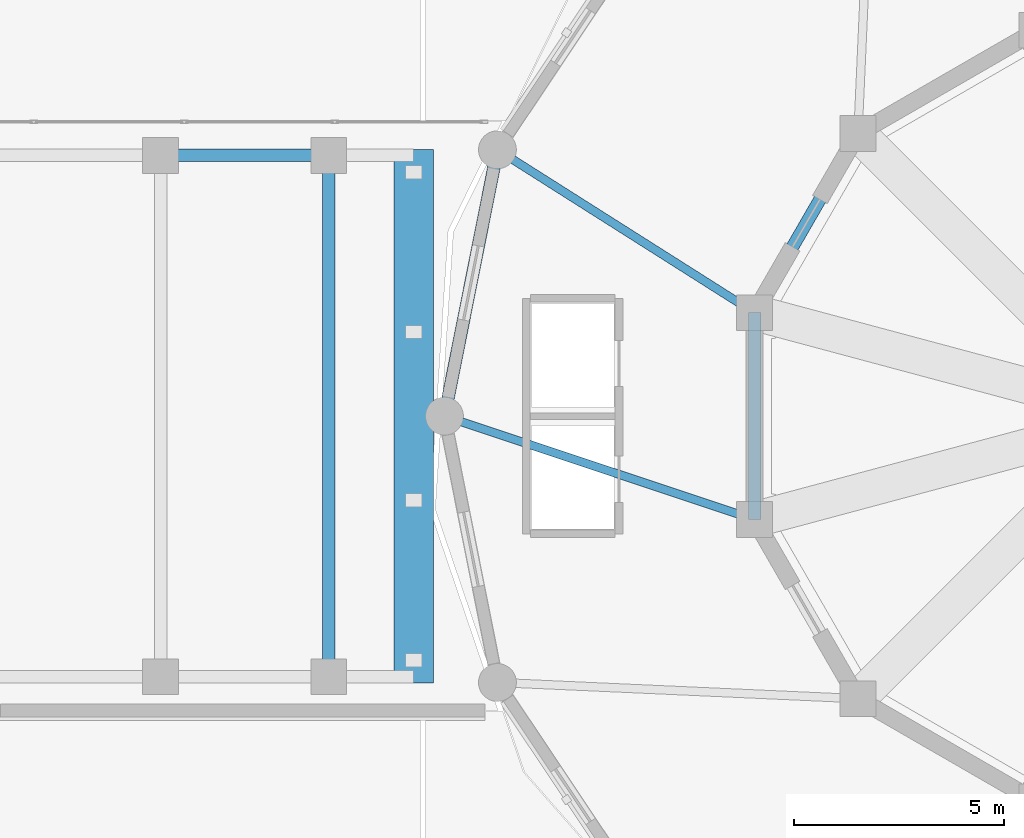
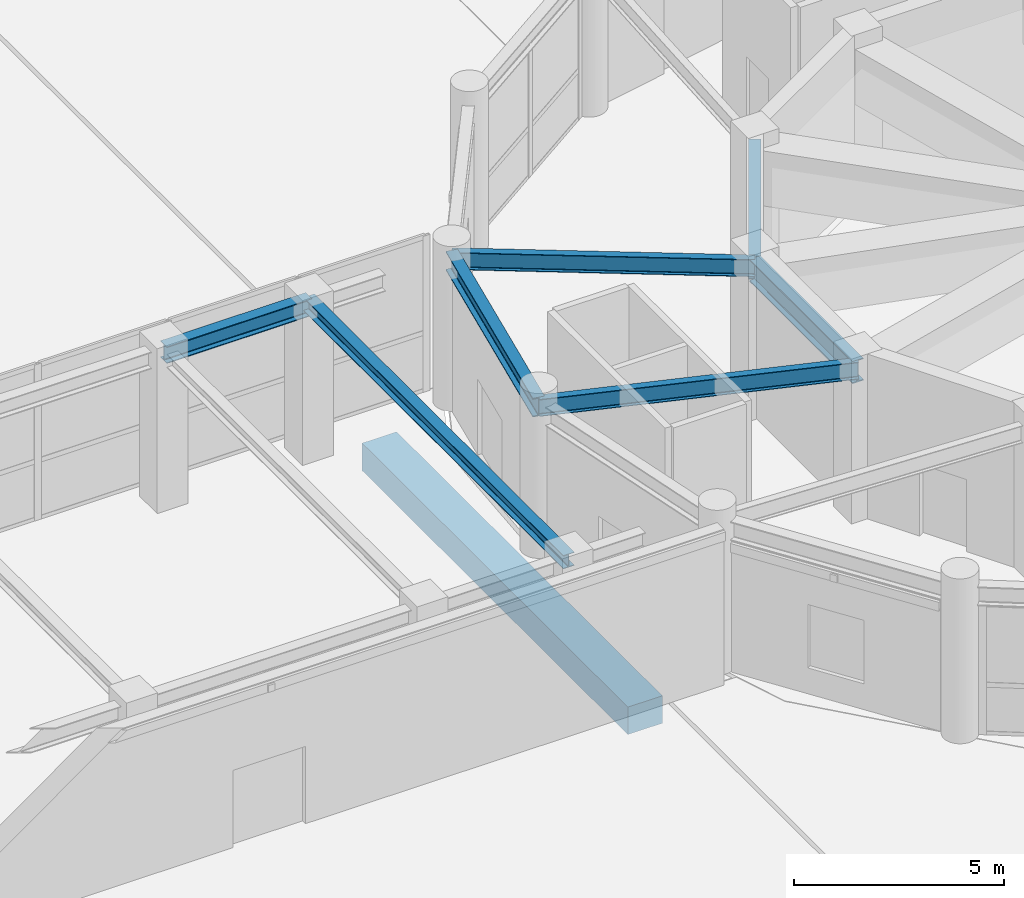
# One storey, part 16 of 40: 8 beams.
"""IFC4 building model written with IfcOpenShell, lengths in metres."""

from ifc_helpers import new_model, si_unit, derived_unit, direction, frame, origin, origin_2d, place, context, subcontext, project, spatial, rectangle, i_section, extrude, source, transform, mapped, material, material_profile, profile_set, type_object, element, save


model = new_model("IFC4")

# Units and contexts
model_context = context("Model", 3, precision=1e-05, world=origin(), true_north=direction((0.0, 1.0)))
body_context = subcontext(model_context, "Body", "Model", "MODEL_VIEW")
ifc_project = project(units=[si_unit("LENGTHUNIT", "METRE"), si_unit("AREAUNIT", "SQUARE_METRE"), si_unit("VOLUMEUNIT", "CUBIC_METRE"), si_unit("PLANEANGLEUNIT", "RADIAN"), si_unit("MASSUNIT", "GRAM", prefix="KILO"), derived_unit("THERMALTRANSMITTANCEUNIT", [(si_unit("POWERUNIT", "WATT"), 1), (si_unit("LENGTHUNIT", "METRE"), -2), (si_unit("THERMODYNAMICTEMPERATUREUNIT", "KELVIN"), -1)])], contexts=[model_context])

# Site, building, storey
site_placement = place(None, origin())
site = spatial("IfcSite", under=ifc_project, at=site_placement, CompositionType="ELEMENT")
building_placement = place(site_placement, origin())
building = spatial("IfcBuilding", under=site, at=building_placement, Name="Korsvarv Bourse and Concert Hall", CompositionType="ELEMENT")
storey_placement = place(building_placement, origin())
storey = spatial("IfcBuildingStorey", under=building, at=storey_placement, Name="L00", CompositionType="ELEMENT", Elevation=0.0)

# Beams
ifc_material_1 = material(Name="Concrete C50/60", Category="concrete")
ifc_material_profile_1 = material_profile(ifc_material_1, rectangle(XDim=0.949951171875, YDim=0.800048828125, at=origin_2d()), Name="RC-CRB 950x800")
ifc_profile_set_1 = profile_set([ifc_material_profile_1], Name="Concrete C50/60")
beam_type_1 = type_object("IfcBeamType", Name="BM-CRB-950", PredefinedType="BEAM", material=ifc_profile_set_1)
shared_shape_1 = source(origin(), body_context, "Body", "SweptSolid", [
    extrude(rectangle(XDim=0.949951171875, YDim=0.800048828125, at=origin_2d()), origin(), (0.0, 0.0, 1.0), 12.68017578125),
])
beam_1_placement = place(storey_placement, frame((89.52001953125, 29.659912109375, -0.780029296875), z_axis=(0.0, 1.0, 0.0), x_axis=(-1.0, 0.0, 0.0)))
element("IfcBeam", 1, at=beam_1_placement, inside=storey, type_object=beam_type_1, Name="L00 Concert Hall 950 mm Bridge Corbel Seat Beam B-CRB1", PredefinedType="BEAM", context=body_context, shape_type="MappedRepresentation", body=[
    mapped(shared_shape_1, transform((0.0, 0.0, 0.0), scale=1.0)),
])
ifc_material_2 = material(Name="Steel S355", Category="steel")
ifc_material_profile_2 = material_profile(ifc_material_2, i_section(OverallWidth=0.300048828125, OverallDepth=0.489990234375, WebThickness=0.011962890625, FlangeThickness=0.02294921875, FilletRadius=0.02392578125, at=origin_2d()), Name="HEA 500")
ifc_profile_set_2 = profile_set([ifc_material_profile_2], Name="Steel S355")
beam_type_2 = type_object("IfcBeamType", Name="BM-HEA500", PredefinedType="BEAM", material=ifc_profile_set_2)
shared_shape_2 = source(origin(), body_context, "Body", "SweptSolid", [
    extrude(i_section(OverallWidth=0.300048828125, OverallDepth=0.489990234375, WebThickness=0.011962890625, FlangeThickness=0.02294921875, FilletRadius=0.02392578125, at=origin_2d()), origin(), (0.0, 0.0, 1.0), 4.0),
])
beam_2_placement = place(storey_placement, frame((83.5, 42.199951171875, 4.294921875), z_axis=(1.0, 0.0, 0.0), x_axis=(0.0, 1.0, 0.0)))
element("IfcBeam", 2, at=beam_2_placement, inside=storey, type_object=beam_type_2, Name="L00 beam B-10", PredefinedType="BEAM", context=body_context, shape_type="MappedRepresentation", body=[
    mapped(shared_shape_2, transform((0.0, 0.0, 0.0), scale=1.0)),
])
ifc_material_profile_3 = material_profile(ifc_material_2, i_section(OverallWidth=0.300048828125, OverallDepth=0.389892578125, WebThickness=0.010986328125, FlangeThickness=0.01904296875, FilletRadius=0.02099609375, at=origin_2d()), Name="HEA 400")
ifc_profile_set_3 = profile_set([ifc_material_profile_3], Name="Steel S355")
beam_type_3 = type_object("IfcBeamType", Name="BM-HEA400", PredefinedType="BEAM", material=ifc_profile_set_3)
shared_shape_3 = source(origin(), body_context, "Body", "SweptSolid", [
    extrude(i_section(OverallWidth=0.300048828125, OverallDepth=0.389892578125, WebThickness=0.010986328125, FlangeThickness=0.01904296875, FilletRadius=0.02099609375, at=origin_2d()), origin(), (0.0, 0.0, 1.0), 12.39990234375),
])
beam_3_placement = place(storey_placement, frame((87.5, 29.800048828125, 4.344970703125), z_axis=(0.0, 1.0, 0.0), x_axis=(-1.0, 0.0, 0.0)))
element("IfcBeam", 3, at=beam_3_placement, inside=storey, type_object=beam_type_3, Name="L00 beam B-11", PredefinedType="BEAM", context=body_context, shape_type="MappedRepresentation", body=[
    mapped(shared_shape_3, transform((0.0, 0.0, 0.0), scale=1.0)),
])
ifc_material_profile_4 = material_profile(ifc_material_2, i_section(OverallWidth=0.300048828125, OverallDepth=0.550048828125, WebThickness=0.014892578125, FlangeThickness=0.029052734375, FilletRadius=0.02392578125, at=origin_2d()), Name="HEB 550")
ifc_profile_set_4 = profile_set([ifc_material_profile_4], Name="Steel S355")
beam_type_4 = type_object("IfcBeamType", Name="BM-HEB550", PredefinedType="BEAM", material=ifc_profile_set_4)
shared_shape_4 = source(origin(), body_context, "Body", "SweptSolid", [
    extrude(i_section(OverallWidth=0.300048828125, OverallDepth=0.550048828125, WebThickness=0.014892578125, FlangeThickness=0.029052734375, FilletRadius=0.02392578125, at=origin_2d()), origin(), (0.0, 0.0, 1.0), 6.45751953125),
])
beam_4_placement = place(storey_placement, frame((91.509765625, 42.33349609375, 4.10498046875), z_axis=(-0.195083607229, -0.980786616034, 0.0), x_axis=(0.980786616034, -0.195083607229, 0.0)))
element("IfcBeam", 4, at=beam_4_placement, inside=storey, type_object=beam_type_4, Name="L00 beam B-06", PredefinedType="BEAM", context=body_context, shape_type="MappedRepresentation", body=[
    mapped(shared_shape_4, transform((0.0, 0.0, 0.0), scale=1.0)),
])
ifc_material_profile_5 = material_profile(ifc_material_2, i_section(OverallWidth=0.300048828125, OverallDepth=0.64990234375, WebThickness=0.01611328125, FlangeThickness=0.031005859375, FilletRadius=0.027099609375, at=origin_2d()), Name="HEB 650")
ifc_profile_set_5 = profile_set([ifc_material_profile_5], Name="Steel S355")
beam_type_5 = type_object("IfcBeamType", Name="BM-HEB650", PredefinedType="BEAM", material=ifc_profile_set_5)
shared_shape_5 = source(origin(), body_context, "Body", "SweptSolid", [
    extrude(i_section(OverallWidth=0.300048828125, OverallDepth=0.64990234375, WebThickness=0.01611328125, FlangeThickness=0.031005859375, FilletRadius=0.027099609375, at=origin_2d()), origin(), (0.0, 0.0, 1.0), 4.91748046875),
])
for number, where, z_axis, x_axis, name in (
    (5, (100.08251953125, 42.717529296875, 4.054931640625), (-0.499988900423, -0.866031812033, 0.0), (0.866031812033, -0.499988900423, 0.0), "L00 beam B-04"),
    (6, (97.623779296875, 38.458740234375, 4.054931640625), (0.0, -1.0, 0.0), (1.0, 0.0, 0.0), "L00 beam B-04"),
):
    element("IfcBeam", number, at=place(storey_placement, frame(where, z_axis=z_axis, x_axis=x_axis)), inside=storey, type_object=beam_type_5, Name=name, PredefinedType="BEAM", context=body_context, shape_type="MappedRepresentation", body=[
        mapped(shared_shape_5, transform((0.0, 0.0, 0.0), scale=1.0)),
    ])
ifc_material_profile_6 = material_profile(ifc_material_2, i_section(OverallWidth=0.199951171875, OverallDepth=0.5, WebThickness=0.01025390625, FlangeThickness=0.01611328125, FilletRadius=0.02099609375, at=origin_2d()), Name="IPE 500")
ifc_profile_set_6 = profile_set([ifc_material_profile_6], Name="Steel S355")
beam_type_6 = type_object("IfcBeamType", Name="BM-IPE500", PredefinedType="JOIST", material=ifc_profile_set_6)
shared_shape_6 = source(origin(), body_context, "Body", "SweptSolid", [
    extrude(i_section(OverallWidth=0.199951171875, OverallDepth=0.5, WebThickness=0.01025390625, FlangeThickness=0.01611328125, FilletRadius=0.02099609375, at=origin_2d()), origin(), (0.0, 0.0, 1.0), 7.77294921875),
])
beam_5_placement = place(storey_placement, frame((97.623779296875, 33.541259765625, 4.1298828125), z_axis=(-0.948651884177, 0.316321992039, 0.0), x_axis=(-0.316321992039, -0.948651884177, 0.0)))
element("IfcBeam", 7, at=beam_5_placement, inside=storey, type_object=beam_type_6, Name="L00 beam J-03", PredefinedType="JOIST", context=body_context, shape_type="MappedRepresentation", body=[
    mapped(shared_shape_6, transform((0.0, 0.0, 0.0), scale=1.0)),
])
shared_shape_7 = source(origin(), body_context, "Body", "SweptSolid", [
    extrude(i_section(OverallWidth=0.199951171875, OverallDepth=0.5, WebThickness=0.01025390625, FlangeThickness=0.01611328125, FilletRadius=0.02099609375, at=origin_2d()), origin(), (0.0, 0.0, 1.0), 7.238525390625),
])
beam_6_placement = place(storey_placement, frame((97.623779296875, 38.458740234375, 4.1298828125), z_axis=(-0.844659971835, 0.53530321499, 0.0), x_axis=(-0.53530321499, -0.844659971835, 0.0)))
element("IfcBeam", 8, at=beam_6_placement, inside=storey, type_object=beam_type_6, Name="L00 beam J-03", PredefinedType="JOIST", context=body_context, shape_type="MappedRepresentation", body=[
    mapped(shared_shape_7, transform((0.0, 0.0, 0.0), scale=1.0)),
])

save(model, "model.ifc")
